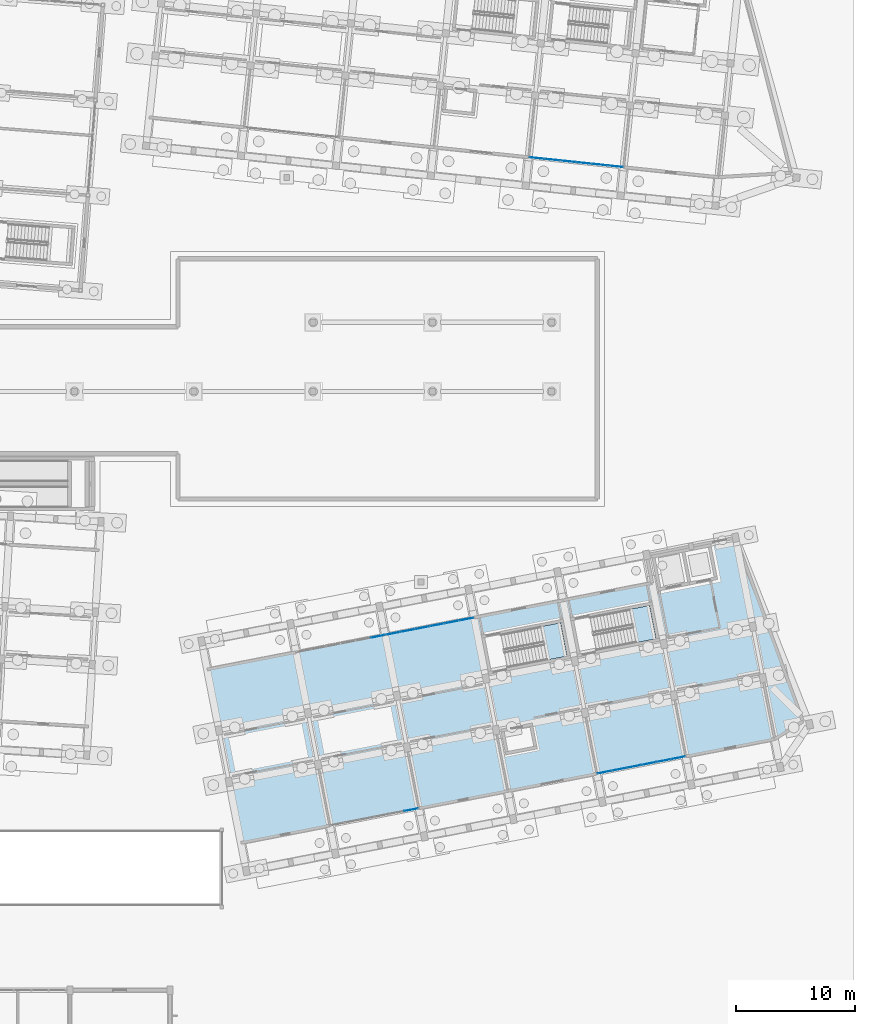
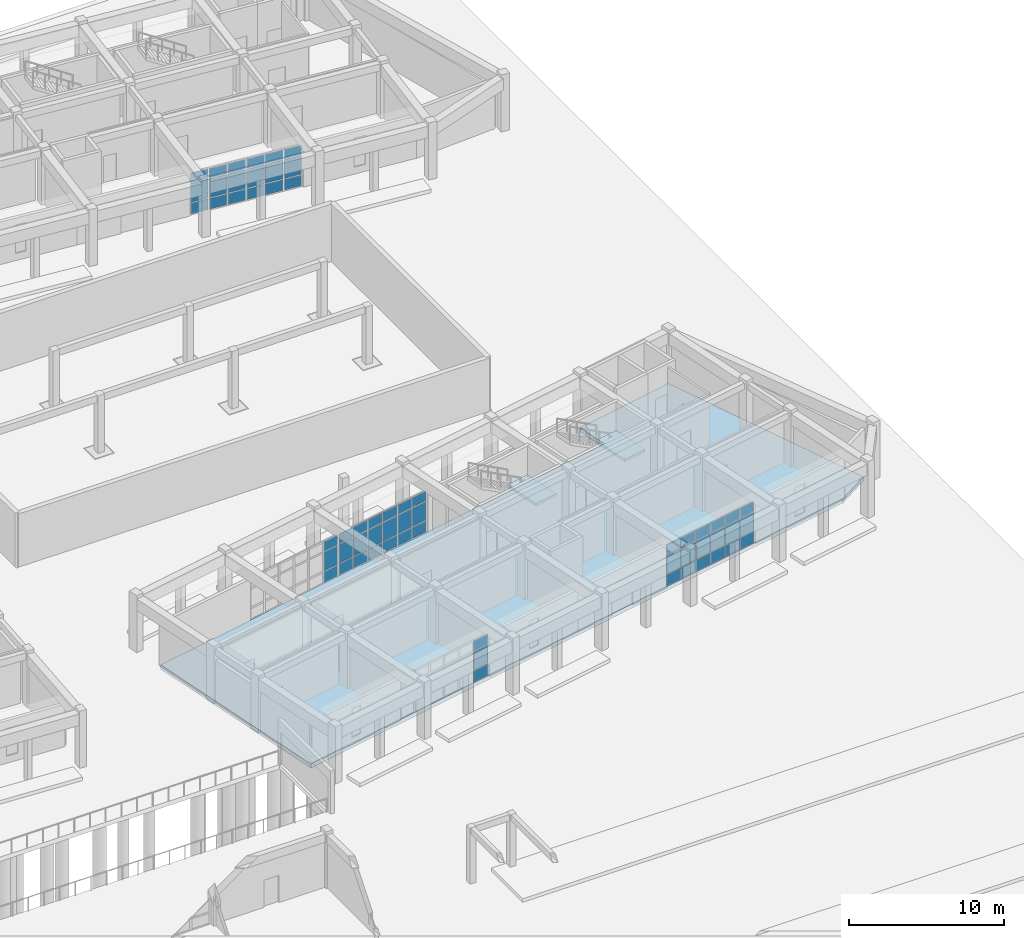
# One storey, part 113 of 154: 60 plates, 3 slabs, 7 elements without a shape of their own.
"""IFC4 building model written with IfcOpenShell, lengths in metres."""

from ifc_helpers import new_model, si_unit, direction, frame, origin, origin_2d, place, context, subcontext, project, spatial, polyline, rectangle, outline, extrude, material, layer, layer_set, type_object, element, aggregate, save


model = new_model("IFC4")

# Units and contexts
model_context = context("Model", 3, precision=1e-05, world=origin(), true_north=direction((0.0, 1.0)))
body_context = subcontext(model_context, "Body", "Model", "MODEL_VIEW")
ifc_project = project(units=[si_unit("LENGTHUNIT", "METRE"), si_unit("AREAUNIT", "SQUARE_METRE"), si_unit("VOLUMEUNIT", "CUBIC_METRE"), si_unit("PLANEANGLEUNIT", "RADIAN"), si_unit("MASSUNIT", "GRAM", prefix="KILO")], contexts=[model_context])

# Site, building, storey
site_placement = place(None, origin())
site = spatial("IfcSite", under=ifc_project, at=site_placement, CompositionType="ELEMENT")
building_placement = place(site_placement, origin())
building = spatial("IfcBuilding", under=site, at=building_placement, Name="Kestramere Prow Commons", CompositionType="ELEMENT")
storey_placement = place(building_placement, origin())
storey = spatial("IfcBuildingStorey", under=building, at=storey_placement, Name="L00", CompositionType="ELEMENT", Elevation=0.0)

# Curtain wall, plates
ifc_material_1 = material(Name="Anodised Aluminium and Low-E Glass", Category="aluminium")
curtain_wall_type_1 = type_object("IfcCurtainWallType", Name="CW-05 Glazed Curtain Wall 7980x3350", PredefinedType="USERDEFINED", material=ifc_material_1)
curtain_wall_1_placement = place(storey_placement, origin())
curtain_wall_1 = element("IfcCurtainWall", 1, at=curtain_wall_1_placement, inside=storey, type_object=curtain_wall_type_1, Name="Block B L00 South Colonnade Storefront 5", ObjectType="GLAZED CURTAIN WALL", PredefinedType="USERDEFINED")
ifc_material_2 = material(Name="Low-E Laminated Double Glazing", Category="glass")
ifc_layer_1 = layer(ifc_material_2, 0.028076171875)
ifc_layer_set_1 = layer_set([ifc_layer_1], Name="Low-E Laminated Double Glazing")
plate_type = type_object("IfcPlateType", Name="CW-PNL-28", PredefinedType="CURTAIN_PANEL", material=ifc_layer_set_1)
plate_1_placement = place(storey_placement, frame((149.34423828125, 93.077880859375, 0.06494140625), z_axis=(0.0, 0.0, 1.0), x_axis=(-0.994521897528, 0.104528442716, 0.0)))
plate_1 = element("IfcPlate", 2, at=plate_1_placement, type_object=plate_type, Name="CW-05 panel 1.1", PredefinedType="CURTAIN_PANEL", context=body_context, shape_type="SweptSolid", body=[
    extrude(rectangle(XDim=1.232421875, YDim=0.028076171875, at=origin_2d()), origin(), (0.0, 0.0, 1.0), 0.8525390625),
])
plate_2_placement = place(storey_placement, frame((149.34423828125, 93.077880859375, 0.982421875), z_axis=(0.0, 0.0, 1.0), x_axis=(-0.994521897528, 0.104528442716, 0.0)))
plate_2 = element("IfcPlate", 3, at=plate_2_placement, type_object=plate_type, Name="CW-05 panel 1.2", PredefinedType="CURTAIN_PANEL", context=body_context, shape_type="SweptSolid", body=[
    extrude(rectangle(XDim=1.232421875, YDim=0.028076171875, at=origin_2d()), origin(), (0.0, 0.0, 1.0), 1.485107421875),
])
plate_3_placement = place(storey_placement, frame((149.34423828125, 93.077880859375, 2.532470703125), z_axis=(0.0, 0.0, 1.0), x_axis=(-0.994521897528, 0.104528442716, 0.0)))
plate_3 = element("IfcPlate", 4, at=plate_3_placement, type_object=plate_type, Name="CW-05 panel 1.3", PredefinedType="CURTAIN_PANEL", context=body_context, shape_type="SweptSolid", body=[
    extrude(rectangle(XDim=1.232421875, YDim=0.028076171875, at=origin_2d()), origin(), (0.0, 0.0, 1.0), 0.75244140625),
])
plate_4_placement = place(storey_placement, frame((148.037841796875, 93.21533203125, 0.06494140625), z_axis=(0.0, 0.0, 1.0), x_axis=(-0.994521897528, 0.104528442716, 0.0)))
plate_4 = element("IfcPlate", 5, at=plate_4_placement, type_object=plate_type, Name="CW-05 panel 2.1", PredefinedType="CURTAIN_PANEL", context=body_context, shape_type="SweptSolid", body=[
    extrude(rectangle(XDim=1.264892578125, YDim=0.028076171875, at=origin_2d()), origin(), (0.0, 0.0, 1.0), 0.8525390625),
])
plate_5_placement = place(storey_placement, frame((148.037841796875, 93.21533203125, 0.982421875), z_axis=(0.0, 0.0, 1.0), x_axis=(-0.994521897528, 0.104528442716, 0.0)))
plate_5 = element("IfcPlate", 6, at=plate_5_placement, type_object=plate_type, Name="CW-05 panel 2.2", PredefinedType="CURTAIN_PANEL", context=body_context, shape_type="SweptSolid", body=[
    extrude(rectangle(XDim=1.264892578125, YDim=0.028076171875, at=origin_2d()), origin(), (0.0, 0.0, 1.0), 1.485107421875),
])
plate_6_placement = place(storey_placement, frame((148.037841796875, 93.21533203125, 2.532470703125), z_axis=(0.0, 0.0, 1.0), x_axis=(-0.994521897528, 0.104528442716, 0.0)))
plate_6 = element("IfcPlate", 7, at=plate_6_placement, type_object=plate_type, Name="CW-05 panel 2.3", PredefinedType="CURTAIN_PANEL", context=body_context, shape_type="SweptSolid", body=[
    extrude(rectangle(XDim=1.264892578125, YDim=0.028076171875, at=origin_2d()), origin(), (0.0, 0.0, 1.0), 0.75244140625),
])
plate_7_placement = place(storey_placement, frame((146.715087890625, 93.354248046875, 0.06494140625), z_axis=(0.0, 0.0, 1.0), x_axis=(-0.994521897528, 0.104528442716, 0.0)))
plate_7 = element("IfcPlate", 8, at=plate_7_placement, type_object=plate_type, Name="CW-05 panel 3.1", PredefinedType="CURTAIN_PANEL", context=body_context, shape_type="SweptSolid", body=[
    extrude(rectangle(XDim=1.264892578125, YDim=0.028076171875, at=origin_2d()), origin(), (0.0, 0.0, 1.0), 0.8525390625),
])
plate_8_placement = place(storey_placement, frame((146.715087890625, 93.354248046875, 0.982421875), z_axis=(0.0, 0.0, 1.0), x_axis=(-0.994521897528, 0.104528442716, 0.0)))
plate_8 = element("IfcPlate", 9, at=plate_8_placement, type_object=plate_type, Name="CW-05 panel 3.2", PredefinedType="CURTAIN_PANEL", context=body_context, shape_type="SweptSolid", body=[
    extrude(rectangle(XDim=1.264892578125, YDim=0.028076171875, at=origin_2d()), origin(), (0.0, 0.0, 1.0), 1.485107421875),
])
plate_9_placement = place(storey_placement, frame((146.715087890625, 93.354248046875, 2.532470703125), z_axis=(0.0, 0.0, 1.0), x_axis=(-0.994521897528, 0.104528442716, 0.0)))
plate_9 = element("IfcPlate", 10, at=plate_9_placement, type_object=plate_type, Name="CW-05 panel 3.3", PredefinedType="CURTAIN_PANEL", context=body_context, shape_type="SweptSolid", body=[
    extrude(rectangle(XDim=1.264892578125, YDim=0.028076171875, at=origin_2d()), origin(), (0.0, 0.0, 1.0), 0.75244140625),
])
plate_10_placement = place(storey_placement, frame((145.392333984375, 93.493408203125, 0.06494140625), z_axis=(0.0, 0.0, 1.0), x_axis=(-0.994521897528, 0.104528442716, 0.0)))
plate_10 = element("IfcPlate", 11, at=plate_10_placement, type_object=plate_type, Name="CW-05 panel 4.1", PredefinedType="CURTAIN_PANEL", context=body_context, shape_type="SweptSolid", body=[
    extrude(rectangle(XDim=1.264892578125, YDim=0.028076171875, at=origin_2d()), origin(), (0.0, 0.0, 1.0), 0.8525390625),
])
plate_11_placement = place(storey_placement, frame((145.392333984375, 93.493408203125, 0.982421875), z_axis=(0.0, 0.0, 1.0), x_axis=(-0.994521897528, 0.104528442716, 0.0)))
plate_11 = element("IfcPlate", 12, at=plate_11_placement, type_object=plate_type, Name="CW-05 panel 4.2", PredefinedType="CURTAIN_PANEL", context=body_context, shape_type="SweptSolid", body=[
    extrude(rectangle(XDim=1.264892578125, YDim=0.028076171875, at=origin_2d()), origin(), (0.0, 0.0, 1.0), 1.485107421875),
])
plate_12_placement = place(storey_placement, frame((145.392333984375, 93.493408203125, 2.532470703125), z_axis=(0.0, 0.0, 1.0), x_axis=(-0.994521897528, 0.104528442716, 0.0)))
plate_12 = element("IfcPlate", 13, at=plate_12_placement, type_object=plate_type, Name="CW-05 panel 4.3", PredefinedType="CURTAIN_PANEL", context=body_context, shape_type="SweptSolid", body=[
    extrude(rectangle(XDim=1.264892578125, YDim=0.028076171875, at=origin_2d()), origin(), (0.0, 0.0, 1.0), 0.75244140625),
])
plate_13_placement = place(storey_placement, frame((144.069580078125, 93.63232421875, 0.06494140625), z_axis=(0.0, 0.0, 1.0), x_axis=(-0.994521897528, 0.104528442716, 0.0)))
plate_13 = element("IfcPlate", 14, at=plate_13_placement, type_object=plate_type, Name="CW-05 panel 5.1", PredefinedType="CURTAIN_PANEL", context=body_context, shape_type="SweptSolid", body=[
    extrude(rectangle(XDim=1.264892578125, YDim=0.028076171875, at=origin_2d()), origin(), (0.0, 0.0, 1.0), 0.8525390625),
])
plate_14_placement = place(storey_placement, frame((144.069580078125, 93.63232421875, 0.982421875), z_axis=(0.0, 0.0, 1.0), x_axis=(-0.994521897528, 0.104528442716, 0.0)))
plate_14 = element("IfcPlate", 15, at=plate_14_placement, type_object=plate_type, Name="CW-05 panel 5.2", PredefinedType="CURTAIN_PANEL", context=body_context, shape_type="SweptSolid", body=[
    extrude(rectangle(XDim=1.264892578125, YDim=0.028076171875, at=origin_2d()), origin(), (0.0, 0.0, 1.0), 1.485107421875),
])
plate_15_placement = place(storey_placement, frame((144.069580078125, 93.63232421875, 2.532470703125), z_axis=(0.0, 0.0, 1.0), x_axis=(-0.994521897528, 0.104528442716, 0.0)))
plate_15 = element("IfcPlate", 16, at=plate_15_placement, type_object=plate_type, Name="CW-05 panel 5.3", PredefinedType="CURTAIN_PANEL", context=body_context, shape_type="SweptSolid", body=[
    extrude(rectangle(XDim=1.264892578125, YDim=0.028076171875, at=origin_2d()), origin(), (0.0, 0.0, 1.0), 0.75244140625),
])
plate_16_placement = place(storey_placement, frame((142.762939453125, 93.769775390625, 0.06494140625), z_axis=(0.0, 0.0, 1.0), x_axis=(-0.994521897528, 0.104528442716, 0.0)))
plate_16 = element("IfcPlate", 17, at=plate_16_placement, type_object=plate_type, Name="CW-05 panel 6.1", PredefinedType="CURTAIN_PANEL", context=body_context, shape_type="SweptSolid", body=[
    extrude(rectangle(XDim=1.232421875, YDim=0.028076171875, at=origin_2d()), origin(), (0.0, 0.0, 1.0), 0.8525390625),
])
plate_17_placement = place(storey_placement, frame((142.762939453125, 93.769775390625, 0.982421875), z_axis=(0.0, 0.0, 1.0), x_axis=(-0.994521897528, 0.104528442716, 0.0)))
plate_17 = element("IfcPlate", 18, at=plate_17_placement, type_object=plate_type, Name="CW-05 panel 6.2", PredefinedType="CURTAIN_PANEL", context=body_context, shape_type="SweptSolid", body=[
    extrude(rectangle(XDim=1.232421875, YDim=0.028076171875, at=origin_2d()), origin(), (0.0, 0.0, 1.0), 1.485107421875),
])
plate_18_placement = place(storey_placement, frame((142.762939453125, 93.769775390625, 2.532470703125), z_axis=(0.0, 0.0, 1.0), x_axis=(-0.994521897528, 0.104528442716, 0.0)))
plate_18 = element("IfcPlate", 19, at=plate_18_placement, type_object=plate_type, Name="CW-05 panel 6.3", PredefinedType="CURTAIN_PANEL", context=body_context, shape_type="SweptSolid", body=[
    extrude(rectangle(XDim=1.232421875, YDim=0.028076171875, at=origin_2d()), origin(), (0.0, 0.0, 1.0), 0.75244140625),
])
aggregate(curtain_wall_1, [plate_1, plate_2, plate_3, plate_4, plate_5, plate_6, plate_7, plate_8, plate_9, plate_10, plate_11, plate_12, plate_13, plate_14, plate_15, plate_16, plate_17, plate_18])

curtain_wall_type_2 = type_object("IfcCurtainWallType", Name="CW-07 Glazed Curtain Wall 7580x3350", PredefinedType="USERDEFINED", material=ifc_material_1)
curtain_wall_2_placement = place(storey_placement, origin())
curtain_wall_2 = element("IfcCurtainWall", 20, at=curtain_wall_2_placement, inside=storey, type_object=curtain_wall_type_2, Name="Block D L00 South Colonnade Storefront 2", ObjectType="GLAZED CURTAIN WALL", PredefinedType="USERDEFINED")
plate_19_placement = place(storey_placement, frame((132.217041015625, 39.130615234375, 0.06494140625), z_axis=(0.0, 0.0, 1.0), x_axis=(-0.981627187774, -0.190808973121, 0.0)))
plate_19 = element("IfcPlate", 21, at=plate_19_placement, type_object=plate_type, Name="CW-07 panel 1.1", PredefinedType="CURTAIN_PANEL", context=body_context, shape_type="SweptSolid", body=[
    extrude(rectangle(XDim=1.165771484375, YDim=0.028076171875, at=origin_2d()), origin(), (0.0, 0.0, 1.0), 0.8525390625),
])
plate_20_placement = place(storey_placement, frame((132.217041015625, 39.130615234375, 0.982421875), z_axis=(0.0, 0.0, 1.0), x_axis=(-0.981627187774, -0.190808973121, 0.0)))
plate_20 = element("IfcPlate", 22, at=plate_20_placement, type_object=plate_type, Name="CW-07 panel 1.2", PredefinedType="CURTAIN_PANEL", context=body_context, shape_type="SweptSolid", body=[
    extrude(rectangle(XDim=1.165771484375, YDim=0.028076171875, at=origin_2d()), origin(), (0.0, 0.0, 1.0), 1.485107421875),
])
plate_21_placement = place(storey_placement, frame((132.217041015625, 39.130615234375, 2.532470703125), z_axis=(0.0, 0.0, 1.0), x_axis=(-0.981627187774, -0.190808973121, 0.0)))
plate_21 = element("IfcPlate", 23, at=plate_21_placement, type_object=plate_type, Name="CW-07 panel 1.3", PredefinedType="CURTAIN_PANEL", context=body_context, shape_type="SweptSolid", body=[
    extrude(rectangle(XDim=1.165771484375, YDim=0.028076171875, at=origin_2d()), origin(), (0.0, 0.0, 1.0), 0.75244140625),
])
aggregate(curtain_wall_2, [plate_19, plate_20, plate_21])

curtain_wall_3_placement = place(storey_placement, origin())
curtain_wall_3 = element("IfcCurtainWall", 24, at=curtain_wall_3_placement, inside=storey, type_object=curtain_wall_type_2, Name="Block D L00 South Colonnade Storefront 5", ObjectType="GLAZED CURTAIN WALL", PredefinedType="USERDEFINED")
plate_22_placement = place(storey_placement, frame((154.59814453125, 43.481201171875, 0.06494140625), z_axis=(0.0, 0.0, 1.0), x_axis=(-0.981627187774, -0.190808973121, 0.0)))
plate_22 = element("IfcPlate", 25, at=plate_22_placement, type_object=plate_type, Name="CW-07 panel 1.1", PredefinedType="CURTAIN_PANEL", context=body_context, shape_type="SweptSolid", body=[
    extrude(rectangle(XDim=1.165771484375, YDim=0.028076171875, at=origin_2d()), origin(), (0.0, 0.0, 1.0), 0.8525390625),
])
plate_23_placement = place(storey_placement, frame((154.59814453125, 43.481201171875, 0.982421875), z_axis=(0.0, 0.0, 1.0), x_axis=(-0.981627187774, -0.190808973121, 0.0)))
plate_23 = element("IfcPlate", 26, at=plate_23_placement, type_object=plate_type, Name="CW-07 panel 1.2", PredefinedType="CURTAIN_PANEL", context=body_context, shape_type="SweptSolid", body=[
    extrude(rectangle(XDim=1.165771484375, YDim=0.028076171875, at=origin_2d()), origin(), (0.0, 0.0, 1.0), 1.485107421875),
])
plate_24_placement = place(storey_placement, frame((154.59814453125, 43.481201171875, 2.532470703125), z_axis=(0.0, 0.0, 1.0), x_axis=(-0.981627187774, -0.190808973121, 0.0)))
plate_24 = element("IfcPlate", 27, at=plate_24_placement, type_object=plate_type, Name="CW-07 panel 1.3", PredefinedType="CURTAIN_PANEL", context=body_context, shape_type="SweptSolid", body=[
    extrude(rectangle(XDim=1.165771484375, YDim=0.028076171875, at=origin_2d()), origin(), (0.0, 0.0, 1.0), 0.75244140625),
])
plate_25_placement = place(storey_placement, frame((153.373779296875, 43.2431640625, 0.06494140625), z_axis=(0.0, 0.0, 1.0), x_axis=(-0.981627187774, -0.190808973121, 0.0)))
plate_25 = element("IfcPlate", 28, at=plate_25_placement, type_object=plate_type, Name="CW-07 panel 2.1", PredefinedType="CURTAIN_PANEL", context=body_context, shape_type="SweptSolid", body=[
    extrude(rectangle(XDim=1.1982421875, YDim=0.028076171875, at=origin_2d()), origin(), (0.0, 0.0, 1.0), 0.8525390625),
])
plate_26_placement = place(storey_placement, frame((153.373779296875, 43.2431640625, 0.982421875), z_axis=(0.0, 0.0, 1.0), x_axis=(-0.981627187774, -0.190808973121, 0.0)))
plate_26 = element("IfcPlate", 29, at=plate_26_placement, type_object=plate_type, Name="CW-07 panel 2.2", PredefinedType="CURTAIN_PANEL", context=body_context, shape_type="SweptSolid", body=[
    extrude(rectangle(XDim=1.1982421875, YDim=0.028076171875, at=origin_2d()), origin(), (0.0, 0.0, 1.0), 1.485107421875),
])
plate_27_placement = place(storey_placement, frame((153.373779296875, 43.2431640625, 2.532470703125), z_axis=(0.0, 0.0, 1.0), x_axis=(-0.981627187774, -0.190808973121, 0.0)))
plate_27 = element("IfcPlate", 30, at=plate_27_placement, type_object=plate_type, Name="CW-07 panel 2.3", PredefinedType="CURTAIN_PANEL", context=body_context, shape_type="SweptSolid", body=[
    extrude(rectangle(XDim=1.1982421875, YDim=0.028076171875, at=origin_2d()), origin(), (0.0, 0.0, 1.0), 0.75244140625),
])
plate_28_placement = place(storey_placement, frame((152.1337890625, 43.002197265625, 0.06494140625), z_axis=(0.0, 0.0, 1.0), x_axis=(-0.981627187774, -0.190808973121, 0.0)))
plate_28 = element("IfcPlate", 31, at=plate_28_placement, type_object=plate_type, Name="CW-07 panel 3.1", PredefinedType="CURTAIN_PANEL", context=body_context, shape_type="SweptSolid", body=[
    extrude(rectangle(XDim=1.1982421875, YDim=0.028076171875, at=origin_2d()), origin(), (0.0, 0.0, 1.0), 0.8525390625),
])
plate_29_placement = place(storey_placement, frame((152.1337890625, 43.002197265625, 0.982421875), z_axis=(0.0, 0.0, 1.0), x_axis=(-0.981627187774, -0.190808973121, 0.0)))
plate_29 = element("IfcPlate", 32, at=plate_29_placement, type_object=plate_type, Name="CW-07 panel 3.2", PredefinedType="CURTAIN_PANEL", context=body_context, shape_type="SweptSolid", body=[
    extrude(rectangle(XDim=1.1982421875, YDim=0.028076171875, at=origin_2d()), origin(), (0.0, 0.0, 1.0), 1.485107421875),
])
plate_30_placement = place(storey_placement, frame((152.1337890625, 43.002197265625, 2.532470703125), z_axis=(0.0, 0.0, 1.0), x_axis=(-0.981627187774, -0.190808973121, 0.0)))
plate_30 = element("IfcPlate", 33, at=plate_30_placement, type_object=plate_type, Name="CW-07 panel 3.3", PredefinedType="CURTAIN_PANEL", context=body_context, shape_type="SweptSolid", body=[
    extrude(rectangle(XDim=1.1982421875, YDim=0.028076171875, at=origin_2d()), origin(), (0.0, 0.0, 1.0), 0.75244140625),
])
plate_31_placement = place(storey_placement, frame((150.8935546875, 42.760986328125, 0.06494140625), z_axis=(0.0, 0.0, 1.0), x_axis=(-0.981627187774, -0.190808973121, 0.0)))
plate_31 = element("IfcPlate", 34, at=plate_31_placement, type_object=plate_type, Name="CW-07 panel 4.1", PredefinedType="CURTAIN_PANEL", context=body_context, shape_type="SweptSolid", body=[
    extrude(rectangle(XDim=1.1982421875, YDim=0.028076171875, at=origin_2d()), origin(), (0.0, 0.0, 1.0), 0.8525390625),
])
plate_32_placement = place(storey_placement, frame((150.8935546875, 42.760986328125, 0.982421875), z_axis=(0.0, 0.0, 1.0), x_axis=(-0.981627187774, -0.190808973121, 0.0)))
plate_32 = element("IfcPlate", 35, at=plate_32_placement, type_object=plate_type, Name="CW-07 panel 4.2", PredefinedType="CURTAIN_PANEL", context=body_context, shape_type="SweptSolid", body=[
    extrude(rectangle(XDim=1.1982421875, YDim=0.028076171875, at=origin_2d()), origin(), (0.0, 0.0, 1.0), 1.485107421875),
])
plate_33_placement = place(storey_placement, frame((150.8935546875, 42.760986328125, 2.532470703125), z_axis=(0.0, 0.0, 1.0), x_axis=(-0.981627187774, -0.190808973121, 0.0)))
plate_33 = element("IfcPlate", 36, at=plate_33_placement, type_object=plate_type, Name="CW-07 panel 4.3", PredefinedType="CURTAIN_PANEL", context=body_context, shape_type="SweptSolid", body=[
    extrude(rectangle(XDim=1.1982421875, YDim=0.028076171875, at=origin_2d()), origin(), (0.0, 0.0, 1.0), 0.75244140625),
])
plate_34_placement = place(storey_placement, frame((149.653564453125, 42.52001953125, 0.06494140625), z_axis=(0.0, 0.0, 1.0), x_axis=(-0.981627187774, -0.190808973121, 0.0)))
plate_34 = element("IfcPlate", 37, at=plate_34_placement, type_object=plate_type, Name="CW-07 panel 5.1", PredefinedType="CURTAIN_PANEL", context=body_context, shape_type="SweptSolid", body=[
    extrude(rectangle(XDim=1.1982421875, YDim=0.028076171875, at=origin_2d()), origin(), (0.0, 0.0, 1.0), 0.8525390625),
])
plate_35_placement = place(storey_placement, frame((149.653564453125, 42.52001953125, 0.982421875), z_axis=(0.0, 0.0, 1.0), x_axis=(-0.981627187774, -0.190808973121, 0.0)))
plate_35 = element("IfcPlate", 38, at=plate_35_placement, type_object=plate_type, Name="CW-07 panel 5.2", PredefinedType="CURTAIN_PANEL", context=body_context, shape_type="SweptSolid", body=[
    extrude(rectangle(XDim=1.1982421875, YDim=0.028076171875, at=origin_2d()), origin(), (0.0, 0.0, 1.0), 1.485107421875),
])
plate_36_placement = place(storey_placement, frame((149.653564453125, 42.52001953125, 2.532470703125), z_axis=(0.0, 0.0, 1.0), x_axis=(-0.981627187774, -0.190808973121, 0.0)))
plate_36 = element("IfcPlate", 39, at=plate_36_placement, type_object=plate_type, Name="CW-07 panel 5.3", PredefinedType="CURTAIN_PANEL", context=body_context, shape_type="SweptSolid", body=[
    extrude(rectangle(XDim=1.1982421875, YDim=0.028076171875, at=origin_2d()), origin(), (0.0, 0.0, 1.0), 0.75244140625),
])
plate_37_placement = place(storey_placement, frame((148.429443359375, 42.281982421875, 0.06494140625), z_axis=(0.0, 0.0, 1.0), x_axis=(-0.981627187774, -0.190808973121, 0.0)))
plate_37 = element("IfcPlate", 40, at=plate_37_placement, type_object=plate_type, Name="CW-07 panel 6.1", PredefinedType="CURTAIN_PANEL", context=body_context, shape_type="SweptSolid", body=[
    extrude(rectangle(XDim=1.165771484375, YDim=0.028076171875, at=origin_2d()), origin(), (0.0, 0.0, 1.0), 0.8525390625),
])
plate_38_placement = place(storey_placement, frame((148.429443359375, 42.281982421875, 0.982421875), z_axis=(0.0, 0.0, 1.0), x_axis=(-0.981627187774, -0.190808973121, 0.0)))
plate_38 = element("IfcPlate", 41, at=plate_38_placement, type_object=plate_type, Name="CW-07 panel 6.2", PredefinedType="CURTAIN_PANEL", context=body_context, shape_type="SweptSolid", body=[
    extrude(rectangle(XDim=1.165771484375, YDim=0.028076171875, at=origin_2d()), origin(), (0.0, 0.0, 1.0), 1.485107421875),
])
plate_39_placement = place(storey_placement, frame((148.429443359375, 42.281982421875, 2.532470703125), z_axis=(0.0, 0.0, 1.0), x_axis=(-0.981627187774, -0.190808973121, 0.0)))
plate_39 = element("IfcPlate", 42, at=plate_39_placement, type_object=plate_type, Name="CW-07 panel 6.3", PredefinedType="CURTAIN_PANEL", context=body_context, shape_type="SweptSolid", body=[
    extrude(rectangle(XDim=1.165771484375, YDim=0.028076171875, at=origin_2d()), origin(), (0.0, 0.0, 1.0), 0.75244140625),
])
aggregate(curtain_wall_3, [plate_22, plate_23, plate_24, plate_25, plate_26, plate_27, plate_28, plate_29, plate_30, plate_31, plate_32, plate_33, plate_34, plate_35, plate_36, plate_37, plate_38, plate_39])

curtain_wall_4_placement = place(storey_placement, origin())
curtain_wall_4 = element("IfcCurtainWall", 43, at=curtain_wall_4_placement, inside=storey, type_object=curtain_wall_type_2, Name="Block D L00 North Courtyard Storefront 2", ObjectType="GLAZED CURTAIN WALL", PredefinedType="USERDEFINED")
plate_40_placement = place(storey_placement, frame((129.39306640625, 53.65869140625, 0.06494140625), z_axis=(0.0, 0.0, 1.0), x_axis=(0.981627187774, 0.190808973121, 0.0)))
plate_40 = element("IfcPlate", 44, at=plate_40_placement, type_object=plate_type, Name="CW-07 panel 6.1", PredefinedType="CURTAIN_PANEL", context=body_context, shape_type="SweptSolid", body=[
    extrude(rectangle(XDim=1.165771484375, YDim=0.028076171875, at=origin_2d()), origin(), (0.0, 0.0, 1.0), 0.8525390625),
])
plate_41_placement = place(storey_placement, frame((129.39306640625, 53.65869140625, 0.982421875), z_axis=(0.0, 0.0, 1.0), x_axis=(0.981627187774, 0.190808973121, 0.0)))
plate_41 = element("IfcPlate", 45, at=plate_41_placement, type_object=plate_type, Name="CW-07 panel 6.2", PredefinedType="CURTAIN_PANEL", context=body_context, shape_type="SweptSolid", body=[
    extrude(rectangle(XDim=1.165771484375, YDim=0.028076171875, at=origin_2d()), origin(), (0.0, 0.0, 1.0), 1.485107421875),
])
plate_42_placement = place(storey_placement, frame((129.39306640625, 53.65869140625, 2.532470703125), z_axis=(0.0, 0.0, 1.0), x_axis=(0.981627187774, 0.190808973121, 0.0)))
plate_42 = element("IfcPlate", 46, at=plate_42_placement, type_object=plate_type, Name="CW-07 panel 6.3", PredefinedType="CURTAIN_PANEL", context=body_context, shape_type="SweptSolid", body=[
    extrude(rectangle(XDim=1.165771484375, YDim=0.028076171875, at=origin_2d()), origin(), (0.0, 0.0, 1.0), 0.75244140625),
])
aggregate(curtain_wall_4, [plate_40, plate_41, plate_42])

curtain_wall_5_placement = place(storey_placement, origin())
curtain_wall_5 = element("IfcCurtainWall", 47, at=curtain_wall_5_placement, inside=storey, type_object=curtain_wall_type_2, Name="Block D L00 North Courtyard Storefront 3", ObjectType="GLAZED CURTAIN WALL", PredefinedType="USERDEFINED")
plate_43_placement = place(storey_placement, frame((130.6845703125, 53.909912109375, 0.06494140625), z_axis=(0.0, 0.0, 1.0), x_axis=(0.981627163067, 0.190809100228, 0.0)))
plate_43 = element("IfcPlate", 48, at=plate_43_placement, type_object=plate_type, Name="CW-07 panel 1.1", PredefinedType="CURTAIN_PANEL", context=body_context, shape_type="SweptSolid", body=[
    extrude(rectangle(XDim=1.165771484375, YDim=0.028076171875, at=origin_2d()), origin(), (0.0, 0.0, 1.0), 0.8525390625),
])
plate_44_placement = place(storey_placement, frame((130.6845703125, 53.909912109375, 0.982421875), z_axis=(0.0, 0.0, 1.0), x_axis=(0.981627163067, 0.190809100228, 0.0)))
plate_44 = element("IfcPlate", 49, at=plate_44_placement, type_object=plate_type, Name="CW-07 panel 1.2", PredefinedType="CURTAIN_PANEL", context=body_context, shape_type="SweptSolid", body=[
    extrude(rectangle(XDim=1.165771484375, YDim=0.028076171875, at=origin_2d()), origin(), (0.0, 0.0, 1.0), 1.485107421875),
])
plate_45_placement = place(storey_placement, frame((130.6845703125, 53.909912109375, 2.532470703125), z_axis=(0.0, 0.0, 1.0), x_axis=(0.981627163067, 0.190809100228, 0.0)))
plate_45 = element("IfcPlate", 50, at=plate_45_placement, type_object=plate_type, Name="CW-07 panel 1.3", PredefinedType="CURTAIN_PANEL", context=body_context, shape_type="SweptSolid", body=[
    extrude(rectangle(XDim=1.165771484375, YDim=0.028076171875, at=origin_2d()), origin(), (0.0, 0.0, 1.0), 0.75244140625),
])
plate_46_placement = place(storey_placement, frame((131.908935546875, 54.147705078125, 0.06494140625), z_axis=(0.0, 0.0, 1.0), x_axis=(0.981627163067, 0.190809100228, 0.0)))
plate_46 = element("IfcPlate", 51, at=plate_46_placement, type_object=plate_type, Name="CW-07 panel 2.1", PredefinedType="CURTAIN_PANEL", context=body_context, shape_type="SweptSolid", body=[
    extrude(rectangle(XDim=1.1982421875, YDim=0.028076171875, at=origin_2d()), origin(), (0.0, 0.0, 1.0), 0.8525390625),
])
plate_47_placement = place(storey_placement, frame((131.908935546875, 54.147705078125, 0.982421875), z_axis=(0.0, 0.0, 1.0), x_axis=(0.981627163067, 0.190809100228, 0.0)))
plate_47 = element("IfcPlate", 52, at=plate_47_placement, type_object=plate_type, Name="CW-07 panel 2.2", PredefinedType="CURTAIN_PANEL", context=body_context, shape_type="SweptSolid", body=[
    extrude(rectangle(XDim=1.1982421875, YDim=0.028076171875, at=origin_2d()), origin(), (0.0, 0.0, 1.0), 1.485107421875),
])
plate_48_placement = place(storey_placement, frame((131.908935546875, 54.147705078125, 2.532470703125), z_axis=(0.0, 0.0, 1.0), x_axis=(0.981627163067, 0.190809100228, 0.0)))
plate_48 = element("IfcPlate", 53, at=plate_48_placement, type_object=plate_type, Name="CW-07 panel 2.3", PredefinedType="CURTAIN_PANEL", context=body_context, shape_type="SweptSolid", body=[
    extrude(rectangle(XDim=1.1982421875, YDim=0.028076171875, at=origin_2d()), origin(), (0.0, 0.0, 1.0), 0.75244140625),
])
plate_49_placement = place(storey_placement, frame((133.14892578125, 54.388916015625, 0.06494140625), z_axis=(0.0, 0.0, 1.0), x_axis=(0.981627163067, 0.190809100228, 0.0)))
plate_49 = element("IfcPlate", 54, at=plate_49_placement, type_object=plate_type, Name="CW-07 panel 3.1", PredefinedType="CURTAIN_PANEL", context=body_context, shape_type="SweptSolid", body=[
    extrude(rectangle(XDim=1.1982421875, YDim=0.028076171875, at=origin_2d()), origin(), (0.0, 0.0, 1.0), 0.8525390625),
])
plate_50_placement = place(storey_placement, frame((133.14892578125, 54.388916015625, 0.982421875), z_axis=(0.0, 0.0, 1.0), x_axis=(0.981627163067, 0.190809100228, 0.0)))
plate_50 = element("IfcPlate", 55, at=plate_50_placement, type_object=plate_type, Name="CW-07 panel 3.2", PredefinedType="CURTAIN_PANEL", context=body_context, shape_type="SweptSolid", body=[
    extrude(rectangle(XDim=1.1982421875, YDim=0.028076171875, at=origin_2d()), origin(), (0.0, 0.0, 1.0), 1.485107421875),
])
plate_51_placement = place(storey_placement, frame((133.14892578125, 54.388916015625, 2.532470703125), z_axis=(0.0, 0.0, 1.0), x_axis=(0.981627163067, 0.190809100228, 0.0)))
plate_51 = element("IfcPlate", 56, at=plate_51_placement, type_object=plate_type, Name="CW-07 panel 3.3", PredefinedType="CURTAIN_PANEL", context=body_context, shape_type="SweptSolid", body=[
    extrude(rectangle(XDim=1.1982421875, YDim=0.028076171875, at=origin_2d()), origin(), (0.0, 0.0, 1.0), 0.75244140625),
])
plate_52_placement = place(storey_placement, frame((134.38916015625, 54.6298828125, 0.06494140625), z_axis=(0.0, 0.0, 1.0), x_axis=(0.981627163067, 0.190809100228, 0.0)))
plate_52 = element("IfcPlate", 57, at=plate_52_placement, type_object=plate_type, Name="CW-07 panel 4.1", PredefinedType="CURTAIN_PANEL", context=body_context, shape_type="SweptSolid", body=[
    extrude(rectangle(XDim=1.1982421875, YDim=0.028076171875, at=origin_2d()), origin(), (0.0, 0.0, 1.0), 0.8525390625),
])
plate_53_placement = place(storey_placement, frame((134.38916015625, 54.6298828125, 0.982421875), z_axis=(0.0, 0.0, 1.0), x_axis=(0.981627163067, 0.190809100228, 0.0)))
plate_53 = element("IfcPlate", 58, at=plate_53_placement, type_object=plate_type, Name="CW-07 panel 4.2", PredefinedType="CURTAIN_PANEL", context=body_context, shape_type="SweptSolid", body=[
    extrude(rectangle(XDim=1.1982421875, YDim=0.028076171875, at=origin_2d()), origin(), (0.0, 0.0, 1.0), 1.485107421875),
])
plate_54_placement = place(storey_placement, frame((134.38916015625, 54.6298828125, 2.532470703125), z_axis=(0.0, 0.0, 1.0), x_axis=(0.981627163067, 0.190809100228, 0.0)))
plate_54 = element("IfcPlate", 59, at=plate_54_placement, type_object=plate_type, Name="CW-07 panel 4.3", PredefinedType="CURTAIN_PANEL", context=body_context, shape_type="SweptSolid", body=[
    extrude(rectangle(XDim=1.1982421875, YDim=0.028076171875, at=origin_2d()), origin(), (0.0, 0.0, 1.0), 0.75244140625),
])
plate_55_placement = place(storey_placement, frame((135.629150390625, 54.870849609375, 0.06494140625), z_axis=(0.0, 0.0, 1.0), x_axis=(0.981627163067, 0.190809100228, 0.0)))
plate_55 = element("IfcPlate", 60, at=plate_55_placement, type_object=plate_type, Name="CW-07 panel 5.1", PredefinedType="CURTAIN_PANEL", context=body_context, shape_type="SweptSolid", body=[
    extrude(rectangle(XDim=1.1982421875, YDim=0.028076171875, at=origin_2d()), origin(), (0.0, 0.0, 1.0), 0.8525390625),
])
plate_56_placement = place(storey_placement, frame((135.629150390625, 54.870849609375, 0.982421875), z_axis=(0.0, 0.0, 1.0), x_axis=(0.981627163067, 0.190809100228, 0.0)))
plate_56 = element("IfcPlate", 61, at=plate_56_placement, type_object=plate_type, Name="CW-07 panel 5.2", PredefinedType="CURTAIN_PANEL", context=body_context, shape_type="SweptSolid", body=[
    extrude(rectangle(XDim=1.1982421875, YDim=0.028076171875, at=origin_2d()), origin(), (0.0, 0.0, 1.0), 1.485107421875),
])
plate_57_placement = place(storey_placement, frame((135.629150390625, 54.870849609375, 2.532470703125), z_axis=(0.0, 0.0, 1.0), x_axis=(0.981627163067, 0.190809100228, 0.0)))
plate_57 = element("IfcPlate", 62, at=plate_57_placement, type_object=plate_type, Name="CW-07 panel 5.3", PredefinedType="CURTAIN_PANEL", context=body_context, shape_type="SweptSolid", body=[
    extrude(rectangle(XDim=1.1982421875, YDim=0.028076171875, at=origin_2d()), origin(), (0.0, 0.0, 1.0), 0.75244140625),
])
plate_58_placement = place(storey_placement, frame((136.853271484375, 55.10888671875, 0.06494140625), z_axis=(0.0, 0.0, 1.0), x_axis=(0.981627163067, 0.190809100228, 0.0)))
plate_58 = element("IfcPlate", 63, at=plate_58_placement, type_object=plate_type, Name="CW-07 panel 6.1", PredefinedType="CURTAIN_PANEL", context=body_context, shape_type="SweptSolid", body=[
    extrude(rectangle(XDim=1.165771484375, YDim=0.028076171875, at=origin_2d()), origin(), (0.0, 0.0, 1.0), 0.8525390625),
])
plate_59_placement = place(storey_placement, frame((136.853271484375, 55.10888671875, 0.982421875), z_axis=(0.0, 0.0, 1.0), x_axis=(0.981627163067, 0.190809100228, 0.0)))
plate_59 = element("IfcPlate", 64, at=plate_59_placement, type_object=plate_type, Name="CW-07 panel 6.2", PredefinedType="CURTAIN_PANEL", context=body_context, shape_type="SweptSolid", body=[
    extrude(rectangle(XDim=1.165771484375, YDim=0.028076171875, at=origin_2d()), origin(), (0.0, 0.0, 1.0), 1.485107421875),
])
plate_60_placement = place(storey_placement, frame((136.853271484375, 55.10888671875, 2.532470703125), z_axis=(0.0, 0.0, 1.0), x_axis=(0.981627163067, 0.190809100228, 0.0)))
plate_60 = element("IfcPlate", 65, at=plate_60_placement, type_object=plate_type, Name="CW-07 panel 6.3", PredefinedType="CURTAIN_PANEL", context=body_context, shape_type="SweptSolid", body=[
    extrude(rectangle(XDim=1.165771484375, YDim=0.028076171875, at=origin_2d()), origin(), (0.0, 0.0, 1.0), 0.75244140625),
])
aggregate(curtain_wall_5, [plate_43, plate_44, plate_45, plate_46, plate_47, plate_48, plate_49, plate_50, plate_51, plate_52, plate_53, plate_54, plate_55, plate_56, plate_57, plate_58, plate_59, plate_60])

# Slab
ifc_material_3 = material(Name="Concrete C35/45", Category="concrete")
ifc_layer_2 = layer(ifc_material_3, 0.35009765625)
ifc_layer_set_2 = layer_set([ifc_layer_2], Name="Concrete C35/45")
slab_type_1 = type_object("IfcSlabType", Name="SL-BASE-350", PredefinedType="BASESLAB", material=ifc_layer_set_2)
slab_1_placement = place(storey_placement, frame((0.0, 0.0, -0.35009765625)))
element("IfcSlab", 66, at=slab_1_placement, inside=storey, type_object=slab_type_1, Name="Block D L00 Ground Floor Slab", PredefinedType="BASESLAB", context=body_context, shape_type="SweptSolid", body=[
    extrude(outline(polyline([(117.942138671875, 36.35595703125), (162.704345703125, 45.056884765625), (165.065673828125, 46.534423828125), (159.42236328125, 61.940673828125), (151.9619140625, 60.49072265625), (152.419921875, 58.134765625), (115.1181640625, 50.884033203125), (117.942138671875, 36.35595703125)])), origin(), (0.0, 0.0, 1.0), 0.35009765625),
])

# Stair, slab
ifc_material_4 = material(Name="Concrete C40/50", Category="concrete")
stair_type = type_object("IfcStairType", Name="ST-DOG-1350", PredefinedType="HALF_TURN_STAIR", material=ifc_material_4)
stair_1_placement = place(storey_placement, origin())
stair_1 = element("IfcStair", 67, at=stair_1_placement, inside=storey, type_object=stair_type, Name="L00 Block D Exit Stair 1", PredefinedType="HALF_TURN_STAIR")
ifc_layer_3 = layer(ifc_material_4, 0.199951171875)
ifc_layer_set_3 = layer_set([ifc_layer_3], Name="Concrete C40/50")
slab_type_2 = type_object("IfcSlabType", Name="SL-ST-LAND-200", PredefinedType="LANDING", material=ifc_layer_set_3)
slab_2_placement = place(storey_placement, frame((0.0, 0.0, 2.050048828125)))
slab_2 = element("IfcSlab", 68, at=slab_2_placement, type_object=slab_type_2, Name="ST-D1 landing 1", PredefinedType="LANDING", context=body_context, shape_type="SweptSolid", body=[
    extrude(outline(polyline([(143.598876953125, 51.68310546875), (145.306884765625, 52.01513671875), (144.76318359375, 54.812744140625), (143.05517578125, 54.480712890625), (143.598876953125, 51.68310546875)])), origin(), (0.0, 0.0, 1.0), 0.199951171875),
])
aggregate(stair_1, [slab_2])

stair_2_placement = place(storey_placement, origin())
stair_2 = element("IfcStair", 69, at=stair_2_placement, inside=storey, type_object=stair_type, Name="L00 Block D Exit Stair 2", PredefinedType="HALF_TURN_STAIR")
slab_3_placement = place(storey_placement, frame((0.0, 0.0, 2.050048828125)))
slab_3 = element("IfcSlab", 70, at=slab_3_placement, type_object=slab_type_2, Name="ST-D2 landing 1", PredefinedType="LANDING", context=body_context, shape_type="SweptSolid", body=[
    extrude(outline(polyline([(151.059326171875, 53.13330078125), (152.767333984375, 53.46533203125), (152.223388671875, 56.262939453125), (150.515380859375, 55.930908203125), (151.059326171875, 53.13330078125)])), origin(), (0.0, 0.0, 1.0), 0.199951171875),
])
aggregate(stair_2, [slab_3])

save(model, "model.ifc")
